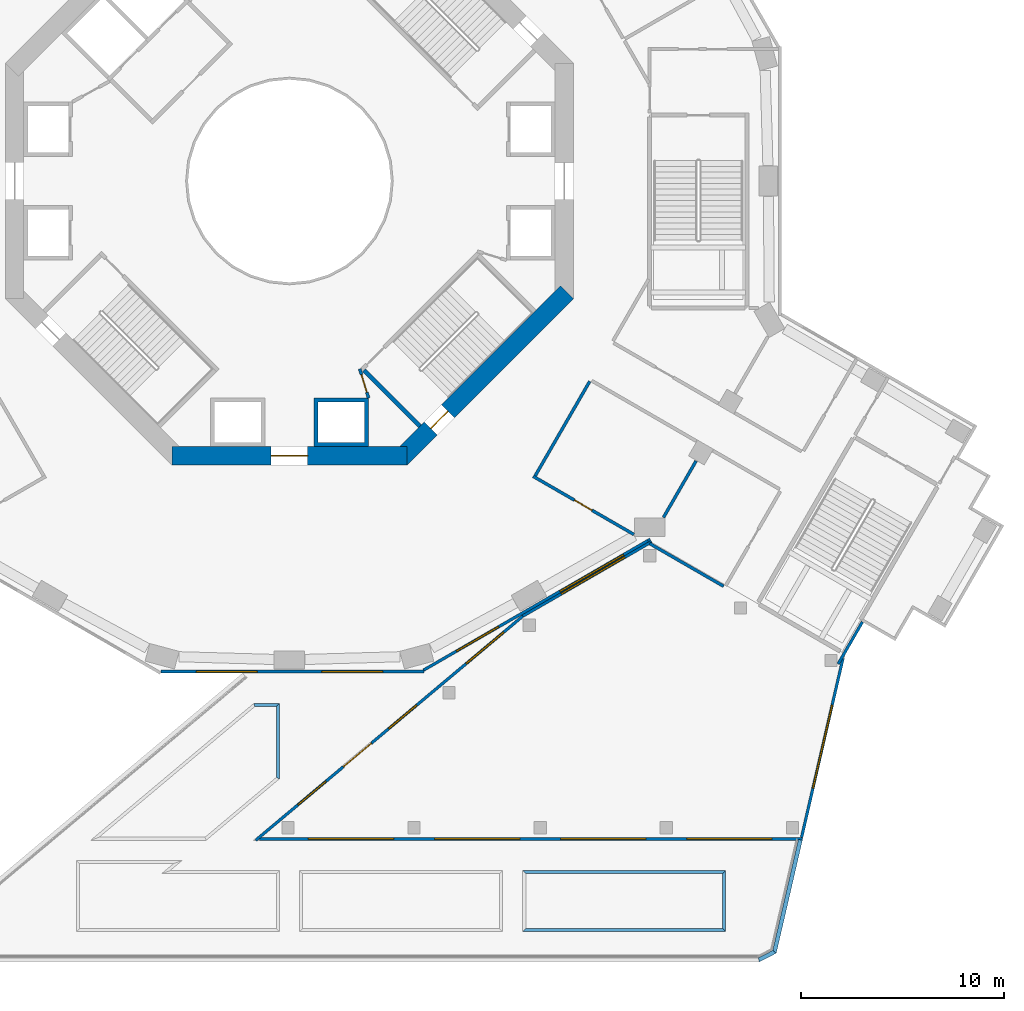
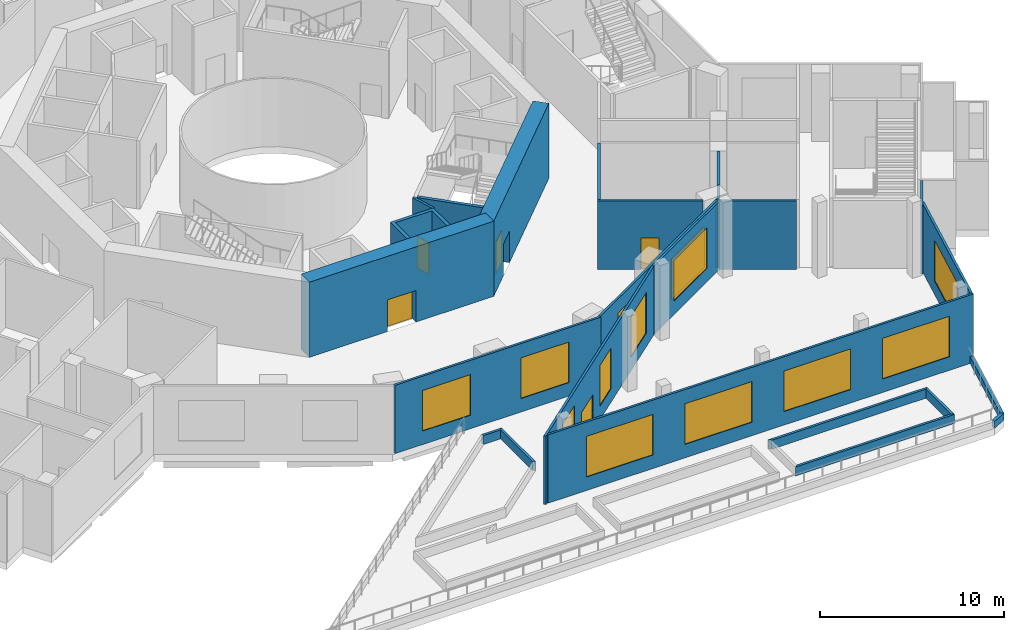
# One storey, part 4 of 24: 24 walls, 13 windows, 5 doors, 18 openings.
"""IFC4 building model written with IfcOpenShell, lengths in metres."""

from ifc_helpers import new_model, si_unit, direction, frame, frame_2d, origin, place, context, subcontext, project, spatial, polyline, rectangle, outline, extrude, material, layer, layer_set, type_object, element, fill, save


model = new_model("IFC4")

# Units and contexts
model_context = context("Model", 3, precision=1e-05, world=origin(), true_north=direction((0.0, 1.0)))
body_context = subcontext(model_context, "Body", "Model", "MODEL_VIEW")
ifc_project = project(units=[si_unit("LENGTHUNIT", "METRE"), si_unit("AREAUNIT", "SQUARE_METRE"), si_unit("VOLUMEUNIT", "CUBIC_METRE"), si_unit("PLANEANGLEUNIT", "RADIAN"), si_unit("MASSUNIT", "GRAM", prefix="KILO")], contexts=[model_context])

# Site, building, storey
site_placement = place(None, origin())
site = spatial("IfcSite", under=ifc_project, at=site_placement, CompositionType="ELEMENT")
building_placement = place(site_placement, origin())
building = spatial("IfcBuilding", under=site, at=building_placement, Name="Verdalira Terraces Hotel", CompositionType="ELEMENT")
storey_placement = place(building_placement, frame((0.0, 0.0, 14.0)))
storey = spatial("IfcBuildingStorey", under=building, at=storey_placement, Name="L02", CompositionType="ELEMENT", Elevation=14.0)

# Walls
ifc_material_1 = material(Name="Concrete C50", Category="concrete")
ifc_layer_1 = layer(ifc_material_1, 0.199951171875)
ifc_layer_set_1 = layer_set([ifc_layer_1], Name="Core RC wall 200 C50")
wall_type_1 = type_object("IfcWallType", Name="Core RC wall 200 C50", PredefinedType="SOLIDWALL", material=ifc_layer_set_1)
wall_1_placement = place(storey_placement, origin())
element("IfcWall", 1, at=wall_1_placement, inside=storey, type_object=wall_type_1, Name="L02 shaft wall S2", PredefinedType="SOLIDWALL", context=body_context, shape_type="SweptSolid", body=[
    extrude(outline(polyline([(3.899902, -10.699951), (3.899902, -13.100098), (1.199951, -13.100098), (1.199951, -10.699951), (3.899902, -10.699951)]), holes=[polyline([(1.399902, -12.899902), (3.699951, -12.899902), (3.699951, -10.899902), (1.399902, -10.899902), (1.399902, -12.899902)])]), origin(), (0.0, 0.0, 1.0), 4.550049),
])
wall_2_placement = place(storey_placement, frame((3.677002, -9.33374, 0.0), z_axis=(0.0, 0.0, 1.0), x_axis=(0.707106781, -0.707106781, 0.0)))
element("IfcWall", 2, at=wall_2_placement, inside=storey, type_object=wall_type_1, Name="L02 stair ST3 end wall 1", PredefinedType="SOLIDWALL", context=body_context, shape_type="SweptSolid", body=[
    extrude(rectangle(XDim=3.900146, YDim=0.199951, at=frame_2d((1.950195, 0.0))), origin(), (0.0, 0.0, 1.0), 4.550049),
])

# Wall, opening, door
ifc_material_2 = material(Name="Gypsum board partition")
ifc_layer_2 = layer(ifc_material_2, 0.14990234375)
ifc_layer_set_2 = layer_set([ifc_layer_2], Name="Core partition 150 mm")
wall_type_2 = type_object("IfcWallType", Name="Core partition 150 mm", PredefinedType="PARTITIONING", material=ifc_layer_set_2)
wall_3_placement = place(storey_placement, frame((3.899902, -10.699951, 0.0), z_axis=(0.0, 0.0, 1.0), x_axis=(-0.289808785, 0.957084567, 0.0)))
wall_3 = element("IfcWall", 3, at=wall_3_placement, inside=storey, type_object=wall_type_2, Name="Room partition L02", PredefinedType="PARTITIONING", context=body_context, shape_type="SweptSolid", body=[
    extrude(rectangle(XDim=1.501221, YDim=0.149902, at=frame_2d((0.750488, 0.0))), origin(), (0.0, 0.0, 1.0), 4.550049),
])
opening_1_placement = place(wall_3_placement, frame((0.300781, 0.0, 0.0)))
opening_1 = element("IfcOpeningElement", 4, at=opening_1_placement, cuts=wall_3, Name="Opening L02-822", PredefinedType="OPENING", context=body_context, shape_type="SweptSolid", body=[
    extrude(rectangle(XDim=0.899902, YDim=2.100098, at=frame_2d((0.449951, 1.050049))), frame((0.0, 0.084961, 0.0), z_axis=(0.0, -1.0, 0.0), x_axis=(1.0, 0.0, 0.0)), (0.0, 0.0, 1.0), 0.169922),
])
ifc_material_3 = material(Name="Steel fire door", Category="steel")
door_type_1 = type_object("IfcDoorType", Name="Core room door 900 x 2100", OperationType="NOTDEFINED", PredefinedType="DOOR", material=ifc_material_3)
door_1_placement = place(opening_1_placement, origin())
door_1 = element("IfcDoor", 5, at=door_1_placement, inside=storey, type_object=door_type_1, Name="Door L02 room6", OperationType="SINGLE_SWING_LEFT", OverallHeight=2.10009765625, OverallWidth=0.89990234375, PredefinedType="DOOR", context=body_context, shape_type="SweptSolid", body=[
    extrude(rectangle(XDim=0.899902, YDim=2.100098, at=frame_2d((0.449951, 1.050049))), frame((0.0, 0.024902, 0.0), z_axis=(0.0, -1.0, 0.0), x_axis=(1.0, 0.0, 0.0)), (0.0, 0.0, 1.0), 0.050049),
])
fill(opening_1, door_1)

ifc_material_4 = material(Name="Concrete C70", Category="concrete")
ifc_layer_3 = layer(ifc_material_4, 0.89990234375)
ifc_layer_set_3 = layer_set([ifc_layer_3], Name="Core wall 900 C70")
wall_type_3 = type_object("IfcWallType", Name="Core wall 900 C70", PredefinedType="SHEAR", material=ifc_layer_set_3)
wall_4_placement = place(storey_placement, frame((-5.799072, -13.550049, 0.0), z_axis=(0.0, 0.0, 1.0), x_axis=(1.0, 0.0, 0.0)))
wall_4 = element("IfcWall", 6, at=wall_4_placement, inside=storey, type_object=wall_type_3, Name="Core wall CW-L02-7", PredefinedType="SHEAR", context=body_context, shape_type="SweptSolid", body=[
    extrude(rectangle(XDim=11.598145, YDim=0.899902, at=frame_2d((5.799072, 0.0))), origin(), (0.0, 0.0, 1.0), 5.0),
])
opening_2_placement = place(wall_4_placement, frame((4.898926, 0.0, 0.0)))
opening_2 = element("IfcOpeningElement", 7, at=opening_2_placement, cuts=wall_4, Name="Opening L02-815", PredefinedType="OPENING", context=body_context, shape_type="SweptSolid", body=[
    extrude(rectangle(XDim=1.800049, YDim=2.100098, at=frame_2d((0.899902, 1.050049))), frame((0.0, 0.459961, 0.0), z_axis=(0.0, -1.0, 0.0), x_axis=(1.0, 0.0, 0.0)), (0.0, 0.0, 1.0), 0.919922),
])
ifc_material_5 = material(Name="Steel fire door", Category="steel")
door_type_2 = type_object("IfcDoorType", Name="Core entry door pair 1800 x 2100", OperationType="NOTDEFINED", PredefinedType="DOOR", material=ifc_material_5)
door_2_placement = place(opening_2_placement, origin())
door_2 = element("IfcDoor", 8, at=door_2_placement, inside=storey, type_object=door_type_2, Name="Core entry door L02 6", OperationType="DOUBLE_DOOR_SINGLE_SWING", OverallHeight=2.10009765625, OverallWidth=1.800048828125, PredefinedType="DOOR", context=body_context, shape_type="SweptSolid", body=[
    extrude(rectangle(XDim=1.800049, YDim=2.100098, at=frame_2d((0.899902, 1.050049))), frame((0.0, 0.024902, 0.0), z_axis=(0.0, -1.0, 0.0), x_axis=(1.0, 0.0, 0.0)), (0.0, 0.0, 1.0), 0.050049),
])
fill(opening_2, door_2)

wall_5_placement = place(storey_placement, frame((5.480713, -13.681885, 0.0), z_axis=(0.0, 0.0, 1.0), x_axis=(0.707106781, 0.707106781, 0.0)))
wall_5 = element("IfcWall", 9, at=wall_5_placement, inside=storey, type_object=wall_type_3, Name="Core wall CW-L02-8", PredefinedType="SHEAR", context=body_context, shape_type="SweptSolid", body=[
    extrude(rectangle(XDim=11.598145, YDim=0.899902, at=frame_2d((5.799072, 0.0))), origin(), (0.0, 0.0, 1.0), 5.0),
])
opening_3_placement = place(wall_5_placement, frame((2.099121, 0.0, 0.0)))
opening_3 = element("IfcOpeningElement", 10, at=opening_3_placement, cuts=wall_5, Name="Opening L02-818", PredefinedType="OPENING", context=body_context, shape_type="SweptSolid", body=[
    extrude(rectangle(XDim=1.199951, YDim=2.100098, at=frame_2d((0.600098, 1.050049))), frame((0.0, 0.459961, 0.0), z_axis=(0.0, -1.0, 0.0), x_axis=(1.0, 0.0, 0.0)), (0.0, 0.0, 1.0), 0.919922),
])
ifc_material_6 = material(Name="Steel fire door", Category="steel")
door_type_3 = type_object("IfcDoorType", Name="Stair door 1200 x 2100", OperationType="NOTDEFINED", PredefinedType="DOOR", material=ifc_material_6)
door_3_placement = place(opening_3_placement, origin())
door_3 = element("IfcDoor", 11, at=door_3_placement, inside=storey, type_object=door_type_3, Name="Stair exit door ST3 L02", OperationType="SINGLE_SWING_LEFT", OverallHeight=2.10009765625, OverallWidth=1.199951171875, PredefinedType="DOOR", context=body_context, shape_type="SweptSolid", body=[
    extrude(rectangle(XDim=1.199951, YDim=2.100098, at=frame_2d((0.600098, 1.050049))), frame((0.0, 0.024902, 0.0), z_axis=(0.0, -1.0, 0.0), x_axis=(1.0, 0.0, 0.0)), (0.0, 0.0, 1.0), 0.050049),
])
fill(opening_3, door_3)

ifc_material_7 = material(Name="Gypsum board partition on steel stud", Category="steel")
ifc_layer_4 = layer(ifc_material_7, 0.14990234375)
ifc_layer_set_4 = layer_set([ifc_layer_4], Name="Fire-rated partition 150 mm")
wall_type_4 = type_object("IfcWallType", Name="Fire-rated partition 150 mm", PredefinedType="PARTITIONING", material=ifc_layer_set_4)
wall_6_placement = place(storey_placement, frame((12.01416, -14.557373, 0.0), z_axis=(0.0, 0.0, 1.0), x_axis=(0.866011812, -0.500023541, 0.0)))
wall_6 = element("IfcWall", 12, at=wall_6_placement, inside=storey, type_object=wall_type_4, Name="Partition", PredefinedType="PARTITIONING", context=body_context, shape_type="SweptSolid", body=[
    extrude(rectangle(XDim=5.732178, YDim=0.149902, at=frame_2d((2.866211, 0.0))), origin(), (0.0, 0.0, 1.0), 4.550049),
])
opening_4_placement = place(wall_6_placement, frame((2.350098, 0.0, 0.0)))
opening_4 = element("IfcOpeningElement", 13, at=opening_4_placement, cuts=wall_6, Name="Opening L02-D21", PredefinedType="OPENING", context=body_context, shape_type="SweptSolid", body=[
    extrude(rectangle(XDim=1.0, YDim=2.100098, at=frame_2d((0.5, 1.050049))), frame((0.0, 0.084961, 0.0), z_axis=(0.0, -1.0, 0.0), x_axis=(1.0, 0.0, 0.0)), (0.0, 0.0, 1.0), 0.169922),
])
ifc_material_8 = material(Name="Steel fire door", Category="steel")
door_type_4 = type_object("IfcDoorType", Name="Fire door 1000 x 2100", OperationType="SINGLE_SWING_LEFT", PredefinedType="DOOR", material=ifc_material_8)
door_4_placement = place(opening_4_placement, origin())
door_4 = element("IfcDoor", 14, at=door_4_placement, inside=storey, type_object=door_type_4, Name="Meeting room 213 door", OperationType="SINGLE_SWING_LEFT", OverallHeight=2.10009765625, OverallWidth=1.0, PredefinedType="DOOR", context=body_context, shape_type="SweptSolid", body=[
    extrude(rectangle(XDim=1.0, YDim=2.100098, at=frame_2d((0.5, 1.050049))), frame((0.0, 0.024902, 0.0), z_axis=(0.0, -1.0, 0.0), x_axis=(1.0, 0.0, 0.0)), (0.0, 0.0, 1.0), 0.050049),
])
fill(opening_4, door_4)

# Walls
wall_7_placement = place(storey_placement, frame((14.804199, -9.875, 0.0), z_axis=(0.0, 0.0, 1.0), x_axis=(-0.4999885, -0.866032043, 0.0)))
element("IfcWall", 15, at=wall_7_placement, inside=storey, type_object=wall_type_4, Name="Partition", PredefinedType="PARTITIONING", context=body_context, shape_type="SweptSolid", body=[
    extrude(rectangle(XDim=5.375244, YDim=0.149902, at=frame_2d((2.6875, 0.0))), origin(), (0.0, 0.0, 1.0), 4.550049),
])
wall_8_placement = place(storey_placement, frame((18.4375, -16.585449, 0.0), z_axis=(0.0, 0.0, 1.0), x_axis=(0.500027049, 0.866009787, 0.0)))
element("IfcWall", 16, at=wall_8_placement, inside=storey, type_object=wall_type_4, Name="Partition", PredefinedType="PARTITIONING", context=body_context, shape_type="SweptSolid", body=[
    extrude(rectangle(XDim=3.2146, YDim=0.149902, at=frame_2d((1.607422, 0.0))), origin(), (0.0, 0.0, 1.0), 4.550049),
])
wall_9_placement = place(storey_placement, frame((17.760742, -17.875244, 0.0), z_axis=(0.0, 0.0, 1.0), x_axis=(0.866016441, -0.500015524, 0.0)))
element("IfcWall", 17, at=wall_9_placement, inside=storey, type_object=wall_type_4, Name="Partition", PredefinedType="PARTITIONING", context=body_context, shape_type="SweptSolid", body=[
    extrude(rectangle(XDim=4.206299, YDim=0.149902, at=frame_2d((2.103027, 0.0))), origin(), (0.0, 0.0, 1.0), 4.550049),
])
ifc_material_9 = material(Name="Concrete C40", Category="concrete")
ifc_layer_5 = layer(ifc_material_9, 0.14990234375)
ifc_layer_set_5 = layer_set([ifc_layer_5], Name="Terrace planter trough 150 x 600")
wall_type_5 = type_object("IfcWallType", Name="Terrace planter trough 150 x 600", PredefinedType="SOLIDWALL", material=ifc_layer_set_5)
wall_10_placement = place(storey_placement, origin())
element("IfcWall", 18, at=wall_10_placement, inside=storey, type_object=wall_type_5, Name="Terrace planting bed trough", PredefinedType="SOLIDWALL", context=body_context, shape_type="SweptSolid", body=[
    extrude(outline(polyline([(11.5, -37.0), (21.5, -37.0), (21.350098, -36.850098), (11.649902, -36.850098), (11.5, -37.0)])), origin(), (0.0, 0.0, 1.0), 0.600098),
])
wall_11_placement = place(storey_placement, origin())
element("IfcWall", 19, at=wall_11_placement, inside=storey, type_object=wall_type_5, Name="Terrace planting bed trough", PredefinedType="SOLIDWALL", context=body_context, shape_type="SweptSolid", body=[
    extrude(outline(polyline([(21.5, -37.0), (21.5, -34.0), (21.350098, -34.149902), (21.350098, -36.850098), (21.5, -37.0)])), origin(), (0.0, 0.0, 1.0), 0.600098),
])
wall_12_placement = place(storey_placement, origin())
element("IfcWall", 20, at=wall_12_placement, inside=storey, type_object=wall_type_5, Name="Terrace planting bed trough", PredefinedType="SOLIDWALL", context=body_context, shape_type="SweptSolid", body=[
    extrude(outline(polyline([(21.5, -34.0), (11.5, -34.0), (11.649902, -34.149902), (21.350098, -34.149902), (21.5, -34.0)])), origin(), (0.0, 0.0, 1.0), 0.600098),
])
wall_13_placement = place(storey_placement, origin())
element("IfcWall", 21, at=wall_13_placement, inside=storey, type_object=wall_type_5, Name="Terrace planting bed trough", PredefinedType="SOLIDWALL", context=body_context, shape_type="SweptSolid", body=[
    extrude(outline(polyline([(-0.5, -29.474121), (-0.5, -25.758301), (-0.649902, -25.908203), (-0.649902, -29.404297), (-0.5, -29.474121)])), origin(), (0.0, 0.0, 1.0), 0.600098),
])
wall_14_placement = place(storey_placement, origin())
element("IfcWall", 22, at=wall_14_placement, inside=storey, type_object=wall_type_5, Name="Terrace planting bed trough", PredefinedType="SOLIDWALL", context=body_context, shape_type="SweptSolid", body=[
    extrude(outline(polyline([(-0.5, -25.758301), (-1.761963, -25.758301), (-1.707275, -25.908203), (-0.649902, -25.908203), (-0.5, -25.758301)])), origin(), (0.0, 0.0, 1.0), 0.600098),
])
ifc_material_10 = material(Name="Concrete C40", Category="concrete")
ifc_layer_6 = layer(ifc_material_10, 0.199951171875)
ifc_layer_set_6 = layer_set([ifc_layer_6], Name="Terrace upstand 200 x 450")
wall_type_6 = type_object("IfcWallType", Name="Terrace upstand 200 x 450", PredefinedType="SOLIDWALL", material=ifc_layer_set_6)
wall_15_placement = place(storey_placement, origin())
element("IfcWall", 23, at=wall_15_placement, inside=storey, type_object=wall_type_6, Name="Terrace upstand", PredefinedType="SOLIDWALL", context=body_context, shape_type="SweptSolid", body=[
    extrude(outline(polyline([(23.11377, -38.300049), (23.162598, -38.5), (24.0, -38.065674), (23.825928, -37.930664), (23.11377, -38.300049)])), origin(), (0.0, 0.0, 1.0), 0.449951),
])
wall_16_placement = place(storey_placement, origin())
element("IfcWall", 24, at=wall_16_placement, inside=storey, type_object=wall_type_6, Name="Terrace upstand", PredefinedType="SOLIDWALL", context=body_context, shape_type="SweptSolid", body=[
    extrude(outline(polyline([(23.825928, -37.930664), (24.0, -38.065674), (25.286865, -32.5), (25.092041, -32.454834), (23.825928, -37.930664)])), origin(), (0.0, 0.0, 1.0), 0.449951),
])
ifc_material_11 = material(Name="Concrete C40", Category="concrete")
ifc_layer_7 = layer(ifc_material_11, 0.139892578125)
ifc_layer_set_7 = layer_set([ifc_layer_7], Name="Terracotta clad concrete wall C40 140 mm")
wall_type_7 = type_object("IfcWallType", Name="Terracotta clad concrete wall C40 140 mm", PredefinedType="SOLIDWALL", material=ifc_layer_set_7)
wall_17_placement = place(storey_placement, frame((27.050537, -23.807129, 0.0), z_axis=(0.0, 0.0, 1.0), x_axis=(0.499969813, 0.866042832, 0.0)))
element("IfcWall", 25, at=wall_17_placement, inside=storey, type_object=wall_type_7, Name="Podium facade wall", PredefinedType="SOLIDWALL", context=body_context, shape_type="SweptSolid", body=[
    extrude(rectangle(XDim=2.392334, YDim=0.139893, at=frame_2d((1.196289, 0.0))), origin(), (0.0, 0.0, 1.0), 4.550049),
])

# Wall, opening, window
ifc_material_12 = material(Name="Terracotta cladding on steel stud backup", Category="masonry")
ifc_layer_8 = layer(ifc_material_12, 0.139892578125)
ifc_layer_set_8 = layer_set([ifc_layer_8], Name="Terracotta clad wall 140 mm")
wall_type_8 = type_object("IfcWallType", Name="Terracotta clad wall 140 mm", PredefinedType="SOLIDWALL", material=ifc_layer_set_8)
wall_18_placement = place(storey_placement, frame((25.247314, -32.360107, 0.0), z_axis=(0.0, 0.0, 1.0), x_axis=(0.225288694, 0.974292053, 0.0)))
wall_18 = element("IfcWall", 26, at=wall_18_placement, inside=storey, type_object=wall_type_8, Name="Podium facade wall", PredefinedType="SOLIDWALL", context=body_context, shape_type="SweptSolid", body=[
    extrude(rectangle(XDim=9.056396, YDim=0.139893, at=frame_2d((4.52832, 0.0))), origin(), (0.0, 0.0, 1.0), 4.550049),
])
opening_5_placement = place(wall_18_placement, frame((2.49585, 0.0, 0.899902)))
opening_5 = element("IfcOpeningElement", 27, at=opening_5_placement, cuts=wall_18, Name="Opening WP", PredefinedType="OPENING", context=body_context, shape_type="SweptSolid", body=[
    extrude(rectangle(XDim=4.199951, YDim=2.699951, at=frame_2d((2.100098, 1.350098))), frame((0.0, 0.079834, 0.0), z_axis=(0.0, -1.0, 0.0), x_axis=(1.0, 0.0, 0.0)), (0.0, 0.0, 1.0), 0.159912),
])
ifc_material_13 = material(Name="Clear double glazing in aluminium frame", Category="aluminium")
window_type_1 = type_object("IfcWindowType", Name="Podium window 4200 x 2700", PartitioningType="SINGLE_PANEL", PredefinedType="WINDOW", material=ifc_material_13)
window_1_placement = place(opening_5_placement, origin())
window_1 = element("IfcWindow", 28, at=window_1_placement, inside=storey, type_object=window_type_1, Name="Podium window", OverallHeight=2.699951171875, OverallWidth=4.199951171875, PartitioningType="SINGLE_PANEL", PredefinedType="WINDOW", context=body_context, shape_type="SweptSolid", body=[
    extrude(rectangle(XDim=4.199951, YDim=2.699951, at=frame_2d((2.100098, 1.350098))), frame((0.0, 0.030029, 0.0), z_axis=(0.0, -1.0, 0.0), x_axis=(1.0, 0.0, 0.0)), (0.0, 0.0, 1.0), 0.060059),
])
fill(opening_5, window_1)

# Wall, openings, windows
wall_19_placement = place(storey_placement, frame((-6.341309, -24.188232, 0.0), z_axis=(0.0, 0.0, 1.0), x_axis=(1.0, 0.0, 0.0)))
wall_19 = element("IfcWall", 29, at=wall_19_placement, inside=storey, type_object=wall_type_8, Name="Podium facade wall", PredefinedType="SOLIDWALL", context=body_context, shape_type="SweptSolid", body=[
    extrude(rectangle(XDim=12.962402, YDim=0.139893, at=frame_2d((6.481201, 0.0))), origin(), (0.0, 0.0, 1.0), 4.550049),
])
opening_6_placement = place(wall_19_placement, frame((1.747803, 0.0, 0.899902)))
opening_6 = element("IfcOpeningElement", 30, at=opening_6_placement, cuts=wall_19, Name="Opening WP", PredefinedType="OPENING", context=body_context, shape_type="SweptSolid", body=[
    extrude(rectangle(XDim=3.0, YDim=2.699951, at=frame_2d((1.5, 1.350098))), frame((0.0, 0.079834, 0.0), z_axis=(0.0, -1.0, 0.0), x_axis=(1.0, 0.0, 0.0)), (0.0, 0.0, 1.0), 0.159912),
])
opening_7_placement = place(wall_19_placement, frame((7.93457, 0.0, 0.899902)))
opening_7 = element("IfcOpeningElement", 31, at=opening_7_placement, cuts=wall_19, Name="Opening WP", PredefinedType="OPENING", context=body_context, shape_type="SweptSolid", body=[
    extrude(rectangle(XDim=3.0, YDim=2.699951, at=frame_2d((1.5, 1.350098))), frame((0.0, 0.079834, 0.0), z_axis=(0.0, -1.0, 0.0), x_axis=(1.0, 0.0, 0.0)), (0.0, 0.0, 1.0), 0.159912),
])
ifc_material_14 = material(Name="Clear double glazing in aluminium frame", Category="aluminium")
window_type_2 = type_object("IfcWindowType", Name="Podium window 3000 x 2700", PartitioningType="SINGLE_PANEL", PredefinedType="WINDOW", material=ifc_material_14)
window_2_placement = place(opening_6_placement, origin())
window_2 = element("IfcWindow", 32, at=window_2_placement, inside=storey, type_object=window_type_2, Name="Podium window", OverallHeight=2.699951171875, OverallWidth=3.0, PartitioningType="SINGLE_PANEL", PredefinedType="WINDOW", context=body_context, shape_type="SweptSolid", body=[
    extrude(rectangle(XDim=3.0, YDim=2.699951, at=frame_2d((1.5, 1.350098))), frame((0.0, 0.030029, 0.0), z_axis=(0.0, -1.0, 0.0), x_axis=(1.0, 0.0, 0.0)), (0.0, 0.0, 1.0), 0.060059),
])
fill(opening_6, window_2)
window_3_placement = place(opening_7_placement, origin())
window_3 = element("IfcWindow", 33, at=window_3_placement, inside=storey, type_object=window_type_2, Name="Podium window", OverallHeight=2.699951171875, OverallWidth=3.0, PartitioningType="SINGLE_PANEL", PredefinedType="WINDOW", context=body_context, shape_type="SweptSolid", body=[
    extrude(rectangle(XDim=3.0, YDim=2.699951, at=frame_2d((1.5, 1.350098))), frame((0.0, 0.030029, 0.0), z_axis=(0.0, -1.0, 0.0), x_axis=(1.0, 0.0, 0.0)), (0.0, 0.0, 1.0), 0.060059),
])
fill(opening_7, window_3)

wall_20_placement = place(storey_placement, frame((6.602539, -24.118408, 0.0), z_axis=(0.0, 0.0, 1.0), x_axis=(0.866018135, 0.50001259, 0.0)))
wall_20 = element("IfcWall", 34, at=wall_20_placement, inside=storey, type_object=wall_type_8, Name="Podium facade wall", PredefinedType="SOLIDWALL", context=body_context, shape_type="SweptSolid", body=[
    extrude(rectangle(XDim=12.77124, YDim=0.139893, at=frame_2d((6.385742, 0.0))), origin(), (0.0, 0.0, 1.0), 4.550049),
])
opening_8_placement = place(wall_20_placement, frame((1.883301, 0.0, 0.899902)))
opening_8 = element("IfcOpeningElement", 35, at=opening_8_placement, cuts=wall_20, Name="Opening WP", PredefinedType="OPENING", context=body_context, shape_type="SweptSolid", body=[
    extrude(rectangle(XDim=2.399902, YDim=2.699951, at=frame_2d((1.199951, 1.350098))), frame((0.0, 0.079834, 0.0), z_axis=(0.0, -1.0, 0.0), x_axis=(1.0, 0.0, 0.0)), (0.0, 0.0, 1.0), 0.159912),
])
opening_9_placement = place(wall_20_placement, frame((7.782471, 0.0, 0.899902)))
opening_9 = element("IfcOpeningElement", 36, at=opening_9_placement, cuts=wall_20, Name="Opening WP", PredefinedType="OPENING", context=body_context, shape_type="SweptSolid", body=[
    extrude(rectangle(XDim=3.600098, YDim=2.699951, at=frame_2d((1.800049, 1.350098))), frame((0.0, 0.079834, 0.0), z_axis=(0.0, -1.0, 0.0), x_axis=(1.0, 0.0, 0.0)), (0.0, 0.0, 1.0), 0.159912),
])
ifc_material_15 = material(Name="Clear double glazing in aluminium frame", Category="aluminium")
window_type_3 = type_object("IfcWindowType", Name="Podium window 2400 x 2700", PartitioningType="SINGLE_PANEL", PredefinedType="WINDOW", material=ifc_material_15)
window_4_placement = place(opening_8_placement, origin())
window_4 = element("IfcWindow", 37, at=window_4_placement, inside=storey, type_object=window_type_3, Name="Podium window", OverallHeight=2.699951171875, OverallWidth=2.39990234375, PartitioningType="SINGLE_PANEL", PredefinedType="WINDOW", context=body_context, shape_type="SweptSolid", body=[
    extrude(rectangle(XDim=2.399902, YDim=2.699951, at=frame_2d((1.199951, 1.350098))), frame((0.0, 0.030029, 0.0), z_axis=(0.0, -1.0, 0.0), x_axis=(1.0, 0.0, 0.0)), (0.0, 0.0, 1.0), 0.060059),
])
fill(opening_8, window_4)
ifc_material_16 = material(Name="Clear double glazing in aluminium frame", Category="aluminium")
window_type_4 = type_object("IfcWindowType", Name="Podium window 3600 x 2700", PartitioningType="SINGLE_PANEL", PredefinedType="WINDOW", material=ifc_material_16)
window_5_placement = place(opening_9_placement, origin())
window_5 = element("IfcWindow", 38, at=window_5_placement, inside=storey, type_object=window_type_4, Name="Podium window", OverallHeight=2.699951171875, OverallWidth=3.60009765625, PartitioningType="SINGLE_PANEL", PredefinedType="WINDOW", context=body_context, shape_type="SweptSolid", body=[
    extrude(rectangle(XDim=3.600098, YDim=2.699951, at=frame_2d((1.800049, 1.350098))), frame((0.0, 0.030029, 0.0), z_axis=(0.0, -1.0, 0.0), x_axis=(1.0, 0.0, 0.0)), (0.0, 0.0, 1.0), 0.060059),
])
fill(opening_9, window_5)

# Wall
wall_21_placement = place(storey_placement, frame((17.688232, -17.637207, 0.0), z_axis=(0.0, 0.0, 1.0), x_axis=(0.500829891, -0.865545735, 0.0)))
element("IfcWall", 39, at=wall_21_placement, inside=storey, type_object=wall_type_8, Name="Podium facade wall", PredefinedType="SOLIDWALL", context=body_context, shape_type="SweptSolid", body=[
    extrude(rectangle(XDim=0.139893, YDim=0.139893, at=frame_2d((0.069824, 0.0))), origin(), (0.0, 0.0, 1.0), 4.550049),
])

# Wall, opening, window
wall_22_placement = place(storey_placement, frame((17.854004, -17.783936, 0.0), z_axis=(0.0, 0.0, 1.0), x_axis=(-0.866036463, -0.499980844, 0.0)))
wall_22 = element("IfcWall", 40, at=wall_22_placement, inside=storey, type_object=wall_type_8, Name="Podium facade wall", PredefinedType="SOLIDWALL", context=body_context, shape_type="SweptSolid", body=[
    extrude(rectangle(XDim=7.33374, YDim=0.139893, at=frame_2d((3.666992, 0.0))), origin(), (0.0, 0.0, 1.0), 4.550049),
])
opening_10_placement = place(wall_22_placement, frame((1.528809, 0.0, 0.899902)))
opening_10 = element("IfcOpeningElement", 41, at=opening_10_placement, cuts=wall_22, Name="Opening WP", PredefinedType="OPENING", context=body_context, shape_type="SweptSolid", body=[
    extrude(rectangle(XDim=3.600098, YDim=2.699951, at=frame_2d((1.800049, 1.350098))), frame((0.0, 0.079834, 0.0), z_axis=(0.0, -1.0, 0.0), x_axis=(1.0, 0.0, 0.0)), (0.0, 0.0, 1.0), 0.159912),
])
window_6_placement = place(opening_10_placement, origin())
window_6 = element("IfcWindow", 42, at=window_6_placement, inside=storey, type_object=window_type_4, Name="Podium window", OverallHeight=2.699951171875, OverallWidth=3.60009765625, PartitioningType="SINGLE_PANEL", PredefinedType="WINDOW", context=body_context, shape_type="SweptSolid", body=[
    extrude(rectangle(XDim=3.600098, YDim=2.699951, at=frame_2d((1.800049, 1.350098))), frame((0.0, 0.030029, 0.0), z_axis=(0.0, -1.0, 0.0), x_axis=(1.0, 0.0, 0.0)), (0.0, 0.0, 1.0), 0.060059),
])
fill(opening_10, window_6)

# Wall, openings, windows, door
wall_23_placement = place(storey_placement, frame((-1.663574, -32.5, 0.0), z_axis=(0.0, 0.0, 1.0), x_axis=(0.766045891, 0.642785885, 0.0)))
wall_23 = element("IfcWall", 43, at=wall_23_placement, inside=storey, type_object=wall_type_8, Name="Podium facade wall", PredefinedType="SOLIDWALL", context=body_context, shape_type="SweptSolid", body=[
    extrude(rectangle(XDim=17.200439, YDim=0.139893, at=frame_2d((8.600098, 0.0))), origin(), (0.0, 0.0, 1.0), 4.550049),
])
opening_11_placement = place(wall_23_placement, frame((13.553955, 0.0, 0.899902)))
opening_11 = element("IfcOpeningElement", 44, at=opening_11_placement, cuts=wall_23, Name="Opening WP", PredefinedType="OPENING", context=body_context, shape_type="SweptSolid", body=[
    extrude(rectangle(XDim=2.399902, YDim=2.699951, at=frame_2d((1.199951, 1.350098))), frame((0.0, 0.079834, 0.0), z_axis=(0.0, -1.0, 0.0), x_axis=(1.0, 0.0, 0.0)), (0.0, 0.0, 1.0), 0.159912),
])
opening_12_placement = place(wall_23_placement, frame((8.569092, 0.0, 0.899902)))
opening_12 = element("IfcOpeningElement", 45, at=opening_12_placement, cuts=wall_23, Name="Opening WP", PredefinedType="OPENING", context=body_context, shape_type="SweptSolid", body=[
    extrude(rectangle(XDim=1.800049, YDim=2.699951, at=frame_2d((0.899902, 1.350098))), frame((0.0, 0.079834, 0.0), z_axis=(0.0, -1.0, 0.0), x_axis=(1.0, 0.0, 0.0)), (0.0, 0.0, 1.0), 0.159912),
])
opening_13_placement = place(wall_23_placement, frame((5.643555, 0.0, 0.0)))
opening_13 = element("IfcOpeningElement", 46, at=opening_13_placement, cuts=wall_23, Name="Opening L02-T02", PredefinedType="OPENING", context=body_context, shape_type="SweptSolid", body=[
    extrude(rectangle(XDim=1.800049, YDim=2.399902, at=frame_2d((0.899902, 1.199951))), frame((0.0, 0.079834, 0.0), z_axis=(0.0, -1.0, 0.0), x_axis=(1.0, 0.0, 0.0)), (0.0, 0.0, 1.0), 0.159912),
])
opening_14_placement = place(wall_23_placement, frame((2.718018, 0.0, 0.899902)))
opening_14 = element("IfcOpeningElement", 47, at=opening_14_placement, cuts=wall_23, Name="Opening WP", PredefinedType="OPENING", context=body_context, shape_type="SweptSolid", body=[
    extrude(rectangle(XDim=1.800049, YDim=2.699951, at=frame_2d((0.899902, 1.350098))), frame((0.0, 0.079834, 0.0), z_axis=(0.0, -1.0, 0.0), x_axis=(1.0, 0.0, 0.0)), (0.0, 0.0, 1.0), 0.159912),
])
ifc_material_17 = material(Name="Clear double glazing in aluminium frame", Category="aluminium")
window_type_5 = type_object("IfcWindowType", Name="Podium window 1800 x 2700", PartitioningType="SINGLE_PANEL", PredefinedType="WINDOW", material=ifc_material_17)
window_7_placement = place(opening_12_placement, origin())
window_7 = element("IfcWindow", 48, at=window_7_placement, inside=storey, type_object=window_type_5, Name="Podium window", OverallHeight=2.699951171875, OverallWidth=1.800048828125, PartitioningType="SINGLE_PANEL", PredefinedType="WINDOW", context=body_context, shape_type="SweptSolid", body=[
    extrude(rectangle(XDim=1.800049, YDim=2.699951, at=frame_2d((0.899902, 1.350098))), frame((0.0, 0.030029, 0.0), z_axis=(0.0, -1.0, 0.0), x_axis=(1.0, 0.0, 0.0)), (0.0, 0.0, 1.0), 0.060059),
])
fill(opening_12, window_7)
window_8_placement = place(opening_14_placement, origin())
window_8 = element("IfcWindow", 49, at=window_8_placement, inside=storey, type_object=window_type_5, Name="Podium window", OverallHeight=2.699951171875, OverallWidth=1.800048828125, PartitioningType="SINGLE_PANEL", PredefinedType="WINDOW", context=body_context, shape_type="SweptSolid", body=[
    extrude(rectangle(XDim=1.800049, YDim=2.699951, at=frame_2d((0.899902, 1.350098))), frame((0.0, 0.030029, 0.0), z_axis=(0.0, -1.0, 0.0), x_axis=(1.0, 0.0, 0.0)), (0.0, 0.0, 1.0), 0.060059),
])
fill(opening_14, window_8)
window_9_placement = place(opening_11_placement, origin())
window_9 = element("IfcWindow", 50, at=window_9_placement, inside=storey, type_object=window_type_3, Name="Podium window", OverallHeight=2.699951171875, OverallWidth=2.39990234375, PartitioningType="SINGLE_PANEL", PredefinedType="WINDOW", context=body_context, shape_type="SweptSolid", body=[
    extrude(rectangle(XDim=2.399902, YDim=2.699951, at=frame_2d((1.199951, 1.350098))), frame((0.0, 0.030029, 0.0), z_axis=(0.0, -1.0, 0.0), x_axis=(1.0, 0.0, 0.0)), (0.0, 0.0, 1.0), 0.060059),
])
fill(opening_11, window_9)
ifc_material_18 = material(Name="Glazed aluminium door", Category="aluminium")
door_type_5 = type_object("IfcDoorType", Name="Terrace door pair 1800 x 2400", OperationType="DOUBLE_DOOR_SINGLE_SWING", PredefinedType="DOOR", material=ifc_material_18)
door_5_placement = place(opening_13_placement, origin())
door_5 = element("IfcDoor", 51, at=door_5_placement, inside=storey, type_object=door_type_5, Name="Terrace door", OperationType="DOUBLE_DOOR_SINGLE_SWING", OverallHeight=2.39990234375, OverallWidth=1.800048828125, PredefinedType="DOOR", context=body_context, shape_type="SweptSolid", body=[
    extrude(rectangle(XDim=1.800049, YDim=2.399902, at=frame_2d((0.899902, 1.199951))), frame((0.0, 0.024902, 0.0), z_axis=(0.0, -1.0, 0.0), x_axis=(1.0, 0.0, 0.0)), (0.0, 0.0, 1.0), 0.050049),
])
fill(opening_13, door_5)

# Wall, openings, windows
wall_24_placement = place(storey_placement, frame((-1.471191, -32.429932, 0.0), z_axis=(0.0, 0.0, 1.0), x_axis=(1.0, 0.0, 0.0)))
wall_24 = element("IfcWall", 52, at=wall_24_placement, inside=storey, type_object=wall_type_8, Name="Podium facade wall", PredefinedType="SOLIDWALL", context=body_context, shape_type="SweptSolid", body=[
    extrude(rectangle(XDim=26.77417, YDim=0.139893, at=frame_2d((13.387207, 0.0))), origin(), (0.0, 0.0, 1.0), 4.550049),
])
opening_15_placement = place(wall_24_placement, frame((2.410156, 0.0, 0.899902)))
opening_15 = element("IfcOpeningElement", 53, at=opening_15_placement, cuts=wall_24, Name="Opening WP", PredefinedType="OPENING", context=body_context, shape_type="SweptSolid", body=[
    extrude(rectangle(XDim=4.199951, YDim=2.699951, at=frame_2d((2.100098, 1.350098))), frame((0.0, 0.079834, 0.0), z_axis=(0.0, -1.0, 0.0), x_axis=(1.0, 0.0, 0.0)), (0.0, 0.0, 1.0), 0.159912),
])
opening_16_placement = place(wall_24_placement, frame((8.625732, 0.0, 0.899902)))
opening_16 = element("IfcOpeningElement", 54, at=opening_16_placement, cuts=wall_24, Name="Opening WP", PredefinedType="OPENING", context=body_context, shape_type="SweptSolid", body=[
    extrude(rectangle(XDim=4.199951, YDim=2.699951, at=frame_2d((2.100098, 1.350098))), frame((0.0, 0.079834, 0.0), z_axis=(0.0, -1.0, 0.0), x_axis=(1.0, 0.0, 0.0)), (0.0, 0.0, 1.0), 0.159912),
])
opening_17_placement = place(wall_24_placement, frame((14.841553, 0.0, 0.899902)))
opening_17 = element("IfcOpeningElement", 55, at=opening_17_placement, cuts=wall_24, Name="Opening WP", PredefinedType="OPENING", context=body_context, shape_type="SweptSolid", body=[
    extrude(rectangle(XDim=4.199951, YDim=2.699951, at=frame_2d((2.100098, 1.350098))), frame((0.0, 0.079834, 0.0), z_axis=(0.0, -1.0, 0.0), x_axis=(1.0, 0.0, 0.0)), (0.0, 0.0, 1.0), 0.159912),
])
opening_18_placement = place(wall_24_placement, frame((21.057129, 0.0, 0.899902)))
opening_18 = element("IfcOpeningElement", 56, at=opening_18_placement, cuts=wall_24, Name="Opening WP", PredefinedType="OPENING", context=body_context, shape_type="SweptSolid", body=[
    extrude(rectangle(XDim=4.199951, YDim=2.699951, at=frame_2d((2.100098, 1.350098))), frame((0.0, 0.079834, 0.0), z_axis=(0.0, -1.0, 0.0), x_axis=(1.0, 0.0, 0.0)), (0.0, 0.0, 1.0), 0.159912),
])
window_10_placement = place(opening_15_placement, origin())
window_10 = element("IfcWindow", 57, at=window_10_placement, inside=storey, type_object=window_type_1, Name="Podium window", OverallHeight=2.699951171875, OverallWidth=4.199951171875, PartitioningType="SINGLE_PANEL", PredefinedType="WINDOW", context=body_context, shape_type="SweptSolid", body=[
    extrude(rectangle(XDim=4.199951, YDim=2.699951, at=frame_2d((2.100098, 1.350098))), frame((0.0, 0.030029, 0.0), z_axis=(0.0, -1.0, 0.0), x_axis=(1.0, 0.0, 0.0)), (0.0, 0.0, 1.0), 0.060059),
])
fill(opening_15, window_10)
window_11_placement = place(opening_16_placement, origin())
window_11 = element("IfcWindow", 58, at=window_11_placement, inside=storey, type_object=window_type_1, Name="Podium window", OverallHeight=2.699951171875, OverallWidth=4.199951171875, PartitioningType="SINGLE_PANEL", PredefinedType="WINDOW", context=body_context, shape_type="SweptSolid", body=[
    extrude(rectangle(XDim=4.199951, YDim=2.699951, at=frame_2d((2.100098, 1.350098))), frame((0.0, 0.030029, 0.0), z_axis=(0.0, -1.0, 0.0), x_axis=(1.0, 0.0, 0.0)), (0.0, 0.0, 1.0), 0.060059),
])
fill(opening_16, window_11)
window_12_placement = place(opening_17_placement, origin())
window_12 = element("IfcWindow", 59, at=window_12_placement, inside=storey, type_object=window_type_1, Name="Podium window", OverallHeight=2.699951171875, OverallWidth=4.199951171875, PartitioningType="SINGLE_PANEL", PredefinedType="WINDOW", context=body_context, shape_type="SweptSolid", body=[
    extrude(rectangle(XDim=4.199951, YDim=2.699951, at=frame_2d((2.100098, 1.350098))), frame((0.0, 0.030029, 0.0), z_axis=(0.0, -1.0, 0.0), x_axis=(1.0, 0.0, 0.0)), (0.0, 0.0, 1.0), 0.060059),
])
fill(opening_17, window_12)
window_13_placement = place(opening_18_placement, origin())
window_13 = element("IfcWindow", 60, at=window_13_placement, inside=storey, type_object=window_type_1, Name="Podium window", OverallHeight=2.699951171875, OverallWidth=4.199951171875, PartitioningType="SINGLE_PANEL", PredefinedType="WINDOW", context=body_context, shape_type="SweptSolid", body=[
    extrude(rectangle(XDim=4.199951, YDim=2.699951, at=frame_2d((2.100098, 1.350098))), frame((0.0, 0.030029, 0.0), z_axis=(0.0, -1.0, 0.0), x_axis=(1.0, 0.0, 0.0)), (0.0, 0.0, 1.0), 0.060059),
])
fill(opening_18, window_13)

save(model, "model.ifc")
